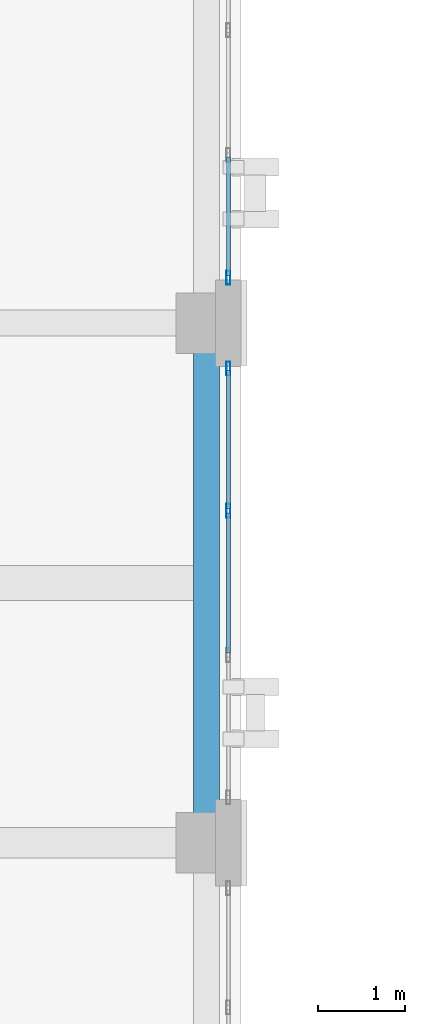
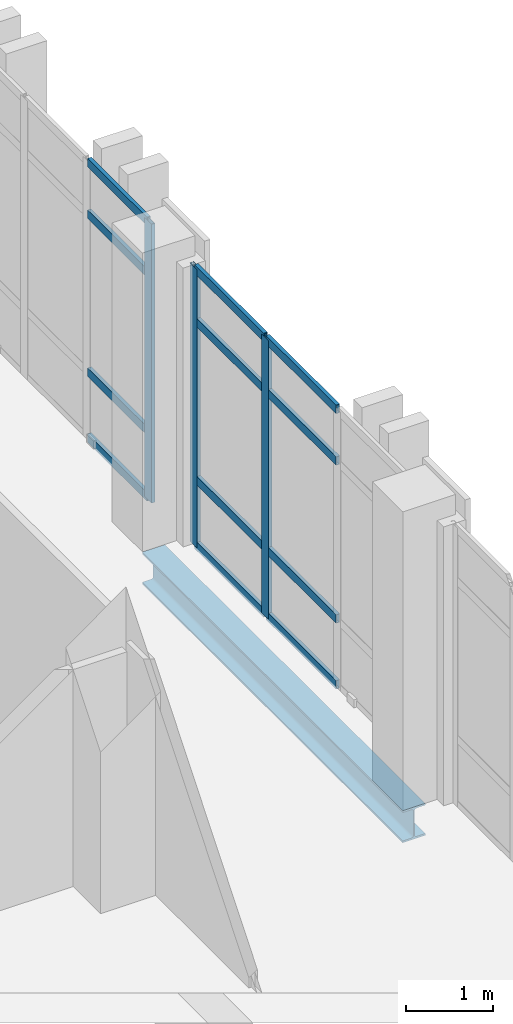
# One storey, part 72 of 165: 15 members, 1 beam, 2 elements without a shape of their own.
"""IFC4 building model written with IfcOpenShell, lengths in metres."""

from ifc_helpers import new_model, si_unit, direction, frame, origin, origin_2d, place, context, subcontext, project, spatial, hollow_rectangle, i_section, extrude, material, layer, layer_set, material_profile, profile_set, type_object, element, aggregate, save


model = new_model("IFC4")

# Units and contexts
model_context = context("Model", 3, precision=1e-05, world=origin(), true_north=direction((0.0, 1.0)))
body_context = subcontext(model_context, "Body", "Model", "MODEL_VIEW")
ifc_project = project(units=[si_unit("LENGTHUNIT", "METRE"), si_unit("AREAUNIT", "SQUARE_METRE"), si_unit("VOLUMEUNIT", "CUBIC_METRE"), si_unit("PLANEANGLEUNIT", "RADIAN"), si_unit("MASSUNIT", "GRAM", prefix="KILO")], contexts=[model_context])

# Site, building, storey
site_placement = place(None, origin())
site = spatial("IfcSite", under=ifc_project, at=site_placement, CompositionType="ELEMENT")
building_placement = place(site_placement, origin())
building = spatial("IfcBuilding", under=site, at=building_placement, Name="Qalavern Law Courts", CompositionType="ELEMENT")
storey_placement = place(building_placement, frame((0.0, 0.0, 14.39990234375)))
storey = spatial("IfcBuildingStorey", under=building, at=storey_placement, Name="L03", CompositionType="ELEMENT", Elevation=14.39990234375)

# Curtain wall, members
ifc_material_1 = material(Name="Anodised aluminium and insulated glazing", Category="aluminium")
ifc_layer = layer(ifc_material_1, 0.172119140625)
ifc_layer_set = layer_set([ifc_layer], Name="Anodised aluminium and insulated glazing")
curtain_wall_type = type_object("IfcCurtainWallType", Name="ENV-CW-COURT", PredefinedType="USERDEFINED", material=ifc_layer_set)
curtain_wall_1_placement = place(storey_placement, origin())
curtain_wall_1 = element("IfcCurtainWall", 1, at=curtain_wall_1_placement, inside=storey, type_object=curtain_wall_type, Name="V3 unitised curtain wall L03 east 5", ObjectType="UNITISED CURTAIN WALL", PredefinedType="USERDEFINED")
ifc_material_2 = material(Name="Anodised aluminium", Category="aluminium")
ifc_material_profile_1 = material_profile(ifc_material_2, hollow_rectangle(XDim=0.048095703125, YDim=0.159912109375, WallThickness=0.00390625, at=origin_2d()), Name="ALU MULLION 48x160")
ifc_profile_set_1 = profile_set([ifc_material_profile_1], Name="Anodised aluminium")
member_type_1 = type_object("IfcMemberType", Name="ENV-CWM-48x160", PredefinedType="MULLION", material=ifc_profile_set_1)
member_1_placement = place(storey_placement, frame((18.652587890625, 77.2333984375, 0.0), z_axis=(0.0, 0.0, 1.0), x_axis=(-1.0, 0.0, 0.0)))
member_1 = element("IfcMember", 2, at=member_1_placement, type_object=member_type_1, Name="CW-03 mullion 3", PredefinedType="MULLION", context=body_context, shape_type="SweptSolid", body=[
    extrude(hollow_rectangle(XDim=0.048095703125, YDim=0.159912109375, WallThickness=0.00390625, at=origin_2d()), origin(), (0.0, 0.0, 1.0), 3.920166015625),
])
member_2_placement = place(storey_placement, frame((18.652587890625, 78.8759765625, 0.0), z_axis=(0.0, 0.0, 1.0), x_axis=(-1.0, 0.0, 0.0)))
member_2 = element("IfcMember", 3, at=member_2_placement, type_object=member_type_1, Name="CW-03 mullion 4", PredefinedType="MULLION", context=body_context, shape_type="SweptSolid", body=[
    extrude(hollow_rectangle(XDim=0.048095703125, YDim=0.159912109375, WallThickness=0.00390625, at=origin_2d()), origin(), (0.0, 0.0, 1.0), 3.920166015625),
])

# Curtain wall, member
curtain_wall_2_placement = place(storey_placement, origin())
curtain_wall_2 = element("IfcCurtainWall", 4, at=curtain_wall_2_placement, inside=storey, type_object=curtain_wall_type, Name="V3 unitised curtain wall L03 east 6", ObjectType="UNITISED CURTAIN WALL", PredefinedType="USERDEFINED")
member_3_placement = place(storey_placement, frame((18.652587890625, 79.924072265625, 0.0), z_axis=(0.0, 0.0, 1.0), x_axis=(-1.0, 0.0, 0.0)))
member_3 = element("IfcMember", 5, at=member_3_placement, type_object=member_type_1, Name="CW-03 mullion 1", PredefinedType="MULLION", context=body_context, shape_type="SweptSolid", body=[
    extrude(hollow_rectangle(XDim=0.048095703125, YDim=0.159912109375, WallThickness=0.00390625, at=origin_2d()), origin(), (0.0, 0.0, 1.0), 3.920166015625),
])

# Member
ifc_material_profile_2 = material_profile(ifc_material_2, hollow_rectangle(XDim=0.048095703125, YDim=0.1201171875, WallThickness=0.00390625, at=origin_2d()), Name="ALU TRANSOM 48x120")
ifc_profile_set_2 = profile_set([ifc_material_profile_2], Name="Anodised aluminium")
member_type_2 = type_object("IfcMemberType", Name="ENV-CWT-48x120", PredefinedType="USERDEFINED", material=ifc_profile_set_2)
member_4_placement = place(storey_placement, frame((18.652587890625, 75.590576171875, 0.024169921875), z_axis=(0.0, 1.0, 0.0), x_axis=(-1.0, 0.0, 0.0)))
member_4 = element("IfcMember", 6, at=member_4_placement, type_object=member_type_2, Name="CW-03 transom 2.1", ObjectType="TRANSOM", PredefinedType="USERDEFINED", context=body_context, shape_type="SweptSolid", body=[
    extrude(hollow_rectangle(XDim=0.048095703125, YDim=0.1201171875, WallThickness=0.00390625, at=origin_2d()), origin(), (0.0, 0.0, 1.0), 1.61865234375),
])

member_5_placement = place(storey_placement, frame((18.652587890625, 75.590576171875, 0.9501953125), z_axis=(0.0, 1.0, 0.0), x_axis=(-1.0, 0.0, 0.0)))
member_5 = element("IfcMember", 7, at=member_5_placement, type_object=member_type_2, Name="CW-03 transom 2.2", ObjectType="TRANSOM", PredefinedType="USERDEFINED", context=body_context, shape_type="SweptSolid", body=[
    extrude(hollow_rectangle(XDim=0.048095703125, YDim=0.1201171875, WallThickness=0.00390625, at=origin_2d()), origin(), (0.0, 0.0, 1.0), 1.61865234375),
])

member_6_placement = place(storey_placement, frame((18.652587890625, 75.590576171875, 3.170166015625), z_axis=(0.0, 1.0, 0.0), x_axis=(-1.0, 0.0, 0.0)))
member_6 = element("IfcMember", 8, at=member_6_placement, type_object=member_type_2, Name="CW-03 transom 2.3", ObjectType="TRANSOM", PredefinedType="USERDEFINED", context=body_context, shape_type="SweptSolid", body=[
    extrude(hollow_rectangle(XDim=0.048095703125, YDim=0.1201171875, WallThickness=0.00390625, at=origin_2d()), origin(), (0.0, 0.0, 1.0), 1.61865234375),
])

member_7_placement = place(storey_placement, frame((18.652587890625, 75.590576171875, 3.89599609375), z_axis=(0.0, 1.0, 0.0), x_axis=(-1.0, 0.0, 0.0)))
member_7 = element("IfcMember", 9, at=member_7_placement, type_object=member_type_2, Name="CW-03 transom 2.4", ObjectType="TRANSOM", PredefinedType="USERDEFINED", context=body_context, shape_type="SweptSolid", body=[
    extrude(hollow_rectangle(XDim=0.048095703125, YDim=0.1201171875, WallThickness=0.00390625, at=origin_2d()), origin(), (0.0, 0.0, 1.0), 1.61865234375),
])

member_8_placement = place(storey_placement, frame((18.652587890625, 77.25732421875, 0.024169921875), z_axis=(0.0, 1.0, 0.0), x_axis=(-1.0, 0.0, 0.0)))
member_8 = element("IfcMember", 10, at=member_8_placement, type_object=member_type_2, Name="CW-03 transom 3.1", ObjectType="TRANSOM", PredefinedType="USERDEFINED", context=body_context, shape_type="SweptSolid", body=[
    extrude(hollow_rectangle(XDim=0.048095703125, YDim=0.1201171875, WallThickness=0.00390625, at=origin_2d()), origin(), (0.0, 0.0, 1.0), 1.5947265625),
])

member_9_placement = place(storey_placement, frame((18.652587890625, 77.25732421875, 0.9501953125), z_axis=(0.0, 1.0, 0.0), x_axis=(-1.0, 0.0, 0.0)))
member_9 = element("IfcMember", 11, at=member_9_placement, type_object=member_type_2, Name="CW-03 transom 3.2", ObjectType="TRANSOM", PredefinedType="USERDEFINED", context=body_context, shape_type="SweptSolid", body=[
    extrude(hollow_rectangle(XDim=0.048095703125, YDim=0.1201171875, WallThickness=0.00390625, at=origin_2d()), origin(), (0.0, 0.0, 1.0), 1.5947265625),
])

member_10_placement = place(storey_placement, frame((18.652587890625, 77.25732421875, 3.170166015625), z_axis=(0.0, 1.0, 0.0), x_axis=(-1.0, 0.0, 0.0)))
member_10 = element("IfcMember", 12, at=member_10_placement, type_object=member_type_2, Name="CW-03 transom 3.3", ObjectType="TRANSOM", PredefinedType="USERDEFINED", context=body_context, shape_type="SweptSolid", body=[
    extrude(hollow_rectangle(XDim=0.048095703125, YDim=0.1201171875, WallThickness=0.00390625, at=origin_2d()), origin(), (0.0, 0.0, 1.0), 1.5947265625),
])

member_11_placement = place(storey_placement, frame((18.652587890625, 77.25732421875, 3.89599609375), z_axis=(0.0, 1.0, 0.0), x_axis=(-1.0, 0.0, 0.0)))
member_11 = element("IfcMember", 13, at=member_11_placement, type_object=member_type_2, Name="CW-03 transom 3.4", ObjectType="TRANSOM", PredefinedType="USERDEFINED", context=body_context, shape_type="SweptSolid", body=[
    extrude(hollow_rectangle(XDim=0.048095703125, YDim=0.1201171875, WallThickness=0.00390625, at=origin_2d()), origin(), (0.0, 0.0, 1.0), 1.5947265625),
])

aggregate(curtain_wall_1, [member_1, member_2, member_4, member_5, member_6, member_7, member_8, member_9, member_10, member_11])

member_12_placement = place(storey_placement, frame((18.652587890625, 79.947998046875, 0.024169921875), z_axis=(0.0, 1.0, 0.0), x_axis=(-1.0, 0.0, 0.0)))
member_12 = element("IfcMember", 14, at=member_12_placement, type_object=member_type_2, Name="CW-03 transom 1.1", ObjectType="TRANSOM", PredefinedType="USERDEFINED", context=body_context, shape_type="SweptSolid", body=[
    extrude(hollow_rectangle(XDim=0.048095703125, YDim=0.1201171875, WallThickness=0.00390625, at=origin_2d()), origin(), (0.0, 0.0, 1.0), 1.367919921875),
])

member_13_placement = place(storey_placement, frame((18.652587890625, 79.947998046875, 0.9501953125), z_axis=(0.0, 1.0, 0.0), x_axis=(-1.0, 0.0, 0.0)))
member_13 = element("IfcMember", 15, at=member_13_placement, type_object=member_type_2, Name="CW-03 transom 1.2", ObjectType="TRANSOM", PredefinedType="USERDEFINED", context=body_context, shape_type="SweptSolid", body=[
    extrude(hollow_rectangle(XDim=0.048095703125, YDim=0.1201171875, WallThickness=0.00390625, at=origin_2d()), origin(), (0.0, 0.0, 1.0), 1.367919921875),
])

member_14_placement = place(storey_placement, frame((18.652587890625, 79.947998046875, 3.170166015625), z_axis=(0.0, 1.0, 0.0), x_axis=(-1.0, 0.0, 0.0)))
member_14 = element("IfcMember", 16, at=member_14_placement, type_object=member_type_2, Name="CW-03 transom 1.3", ObjectType="TRANSOM", PredefinedType="USERDEFINED", context=body_context, shape_type="SweptSolid", body=[
    extrude(hollow_rectangle(XDim=0.048095703125, YDim=0.1201171875, WallThickness=0.00390625, at=origin_2d()), origin(), (0.0, 0.0, 1.0), 1.367919921875),
])

member_15_placement = place(storey_placement, frame((18.652587890625, 79.947998046875, 3.89599609375), z_axis=(0.0, 1.0, 0.0), x_axis=(-1.0, 0.0, 0.0)))
member_15 = element("IfcMember", 17, at=member_15_placement, type_object=member_type_2, Name="CW-03 transom 1.4", ObjectType="TRANSOM", PredefinedType="USERDEFINED", context=body_context, shape_type="SweptSolid", body=[
    extrude(hollow_rectangle(XDim=0.048095703125, YDim=0.1201171875, WallThickness=0.00390625, at=origin_2d()), origin(), (0.0, 0.0, 1.0), 1.367919921875),
])

aggregate(curtain_wall_2, [member_3, member_12, member_13, member_14, member_15])

# Beam
ifc_material_3 = material(Name="Steel S355", Category="steel")
ifc_material_profile_3 = material_profile(ifc_material_3, i_section(OverallWidth=0.300048828125, OverallDepth=0.449951171875, WebThickness=0.013916015625, FlangeThickness=0.02587890625, FilletRadius=0.027099609375, at=origin_2d()), Name="HEB 450")
ifc_profile_set_3 = profile_set([ifc_material_profile_3], Name="Steel S355")
beam_type = type_object("IfcBeamType", Name="STR-SP-HEB450", PredefinedType="SPANDREL", material=ifc_profile_set_3)
beam_placement = place(storey_placement, frame((18.39990234375, 73.39990234375, -0.510009765625), z_axis=(0.0, 1.0, 0.0), x_axis=(-1.0, 0.0, 0.0)))
element("IfcBeam", 18, at=beam_placement, inside=storey, type_object=beam_type, Name="V3 Y-beam 3-5 L03", PredefinedType="SPANDREL", context=body_context, shape_type="SweptSolid", body=[
    extrude(i_section(OverallWidth=0.300048828125, OverallDepth=0.449951171875, WebThickness=0.013916015625, FlangeThickness=0.02587890625, FilletRadius=0.027099609375, at=origin_2d()), origin(), (0.0, 0.0, 1.0), 6.0),
])

save(model, "model.ifc")
